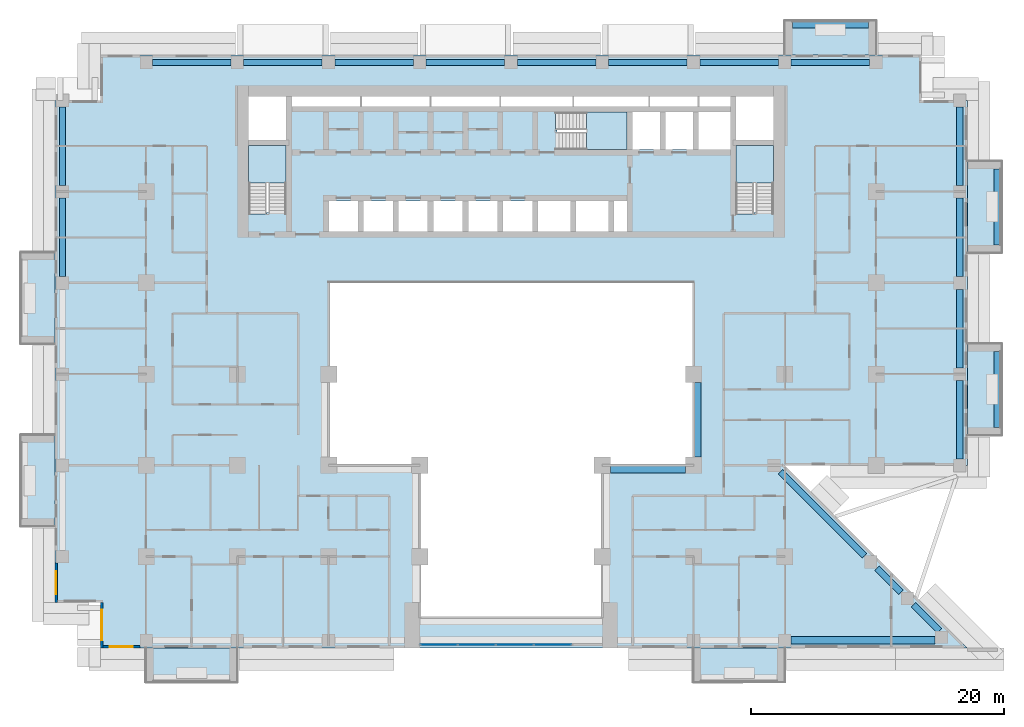
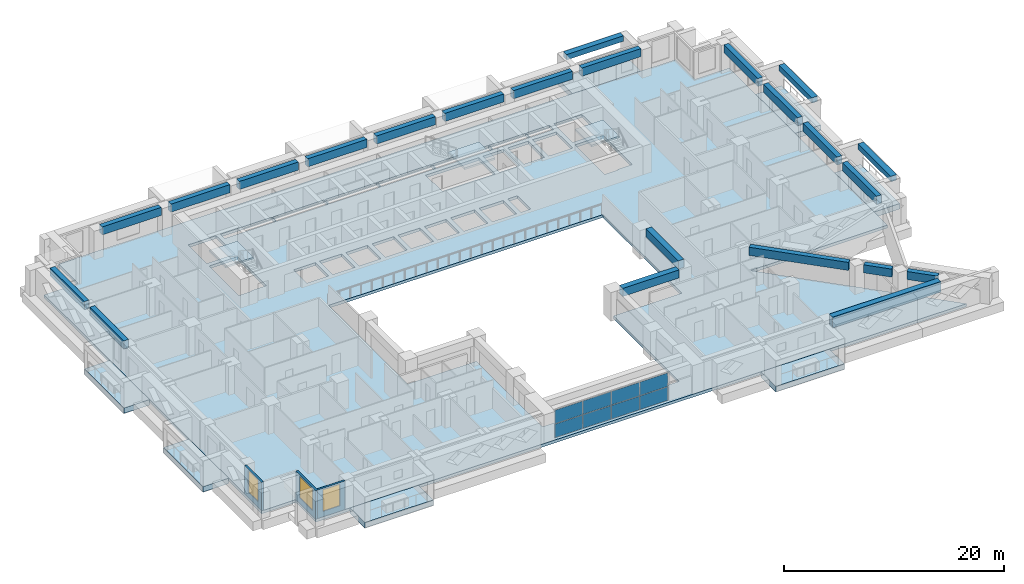
# One storey, part 5 of 17: 23 beams, 11 slabs, 8 plates, 3 walls, 3 windows, 3 openings, 4 elements without a shape of their own.
"""IFC4 building model written with IfcOpenShell, lengths in metres."""

from ifc_helpers import new_model, si_unit, direction, frame, frame_2d, origin, origin_2d, place, context, subcontext, project, spatial, polyline, rectangle, outline, extrude, source, transform, mapped, material, layer, layer_set, material_profile, profile_set, type_object, element, fill, aggregate, save


model = new_model("IFC4")

# Units and contexts
model_context = context("Model", 3, precision=1e-05, world=origin(), true_north=direction((0.0, 1.0)))
body_context = subcontext(model_context, "Body", "Model", "MODEL_VIEW")
ifc_project = project(units=[si_unit("LENGTHUNIT", "METRE"), si_unit("AREAUNIT", "SQUARE_METRE"), si_unit("VOLUMEUNIT", "CUBIC_METRE"), si_unit("PLANEANGLEUNIT", "RADIAN"), si_unit("MASSUNIT", "GRAM", prefix="KILO")], contexts=[model_context])

# Site, building, storey
site_placement = place(None, origin())
site = spatial("IfcSite", under=ifc_project, at=site_placement, CompositionType="ELEMENT")
building_placement = place(site_placement, origin())
building = spatial("IfcBuilding", under=site, at=building_placement, Name="Saffron Iwan Residences", CompositionType="ELEMENT")
storey_placement = place(building_placement, frame((0.0, 0.0, 72.5)))
storey = spatial("IfcBuildingStorey", under=building, at=storey_placement, Name="L18", CompositionType="ELEMENT", Elevation=72.5)

# Beams
ifc_material_1 = material(Name="Concrete C60/75", Category="concrete")
ifc_material_profile_1 = material_profile(ifc_material_1, rectangle(XDim=0.5, YDim=0.89990234375, at=origin_2d()), Name="RC 500x900")
ifc_profile_set_1 = profile_set([ifc_material_profile_1], Name="Concrete C60/75")
beam_type_1 = type_object("IfcBeamType", Name="SPANDREL BEAM RC 500x900 C60/75 TOP 3180", PredefinedType="SPANDREL", material=ifc_profile_set_1)
shared_shape_1 = source(origin(), body_context, "Body", "SweptSolid", [
    extrude(rectangle(XDim=0.5, YDim=0.89990234375, at=origin_2d()), origin(), (0.0, 0.0, 1.0), 6.199951171875),
])
for number, where, z_axis, x_axis, name in (
    (1, (85.800048828125, 54.699951171875, 2.72998046875), (0.0, -1.0, 0.0), (1.0, 0.0, 0.0), "Spandrel beam"),
    (2, (85.800048828125, 61.89990234375, 2.72998046875), (0.0, -1.0, 0.0), (1.0, 0.0, 0.0), "Spandrel beam"),
    (3, (15.0, 70.10009765625, 2.72998046875), (0.0, 1.0, 0.0), (-1.0, 0.0, 0.0), "Spandrel beam"),
    (4, (85.800048828125, 76.300048828125, 2.72998046875), (0.0, -1.0, 0.0), (1.0, 0.0, 0.0), "Spandrel beam"),
    (5, (22.10009765625, 79.800048828125, 2.72998046875), (1.0, 0.0, 0.0), (0.0, 1.0, 0.0), "Spandrel beam"),
    (6, (29.300048828125, 79.800048828125, 2.72998046875), (1.0, 0.0, 0.0), (0.0, 1.0, 0.0), "Spandrel beam"),
    (7, (36.5, 79.800048828125, 2.72998046875), (1.0, 0.0, 0.0), (0.0, 1.0, 0.0), "Spandrel beam"),
    (8, (43.699951171875, 79.800048828125, 2.72998046875), (1.0, 0.0, 0.0), (0.0, 1.0, 0.0), "Spandrel beam"),
    (9, (58.10009765625, 79.800048828125, 2.72998046875), (1.0, 0.0, 0.0), (0.0, 1.0, 0.0), "Spandrel beam"),
    (10, (65.300048828125, 79.800048828125, 2.72998046875), (1.0, 0.0, 0.0), (0.0, 1.0, 0.0), "Spandrel beam"),
    (11, (72.5, 79.800048828125, 2.72998046875), (1.0, 0.0, 0.0), (0.0, 1.0, 0.0), "Spandrel beam"),
):
    element("IfcBeam", number, at=place(storey_placement, frame(where, z_axis=z_axis, x_axis=x_axis)), inside=storey, type_object=beam_type_1, Name=name, PredefinedType="SPANDREL", context=body_context, shape_type="MappedRepresentation", body=[
        mapped(shared_shape_1, transform((0.0, 0.0, 0.0))),
    ])
shared_shape_2 = source(origin(), body_context, "Body", "SweptSolid", [
    extrude(rectangle(XDim=0.5, YDim=0.89990234375, at=origin_2d()), origin(), (0.0, 0.0, 1.0), 2.90478515625),
])
beam_1_placement = place(storey_placement, frame((82.15576171875, 36.995849609375, 2.72998046875), z_axis=(0.707106781187, -0.707106781187, 0.0), x_axis=(0.707106781187, 0.707106781187, 0.0)))
element("IfcBeam", 12, at=beam_1_placement, inside=storey, type_object=beam_type_1, Name="Spandrel beam", PredefinedType="SPANDREL", context=body_context, shape_type="MappedRepresentation", body=[
    mapped(shared_shape_2, transform((0.0, 0.0, 0.0))),
])
shared_shape_3 = source(origin(), body_context, "Body", "SweptSolid", [
    extrude(rectangle(XDim=0.5, YDim=0.89990234375, at=origin_2d()), origin(), (0.0, 0.0, 1.0), 2.658935546875),
])
beam_2_placement = place(storey_placement, frame((79.275634765625, 39.875732421875, 2.72998046875), z_axis=(0.707106781187, -0.707106781187, 0.0), x_axis=(0.707106781187, 0.707106781187, 0.0)))
element("IfcBeam", 13, at=beam_2_placement, inside=storey, type_object=beam_type_1, Name="Spandrel beam", PredefinedType="SPANDREL", context=body_context, shape_type="MappedRepresentation", body=[
    mapped(shared_shape_3, transform((0.0, 0.0, 0.0))),
])
shared_shape_4 = source(origin(), body_context, "Body", "SweptSolid", [
    extrude(rectangle(XDim=0.5, YDim=0.89990234375, at=origin_2d()), origin(), (0.0, 0.0, 1.0), 9.370361328125),
])
beam_3_placement = place(storey_placement, frame((71.64990234375, 47.50146484375, 2.72998046875), z_axis=(0.707119808329, -0.707093753804, 0.0), x_axis=(0.707093753804, 0.707119808329, 0.0)))
element("IfcBeam", 14, at=beam_3_placement, inside=storey, type_object=beam_type_1, Name="Spandrel beam", PredefinedType="SPANDREL", context=body_context, shape_type="MappedRepresentation", body=[
    mapped(shared_shape_4, transform((0.0, 0.0, 0.0))),
])
shared_shape_5 = source(origin(), body_context, "Body", "SweptSolid", [
    extrude(rectangle(XDim=0.5, YDim=0.89990234375, at=origin_2d()), origin(), (0.0, 0.0, 1.0), 6.2001953125),
])
for number, where, z_axis, x_axis, name in (
    (15, (15.0, 62.89990234375, 2.72998046875), (0.0, 1.0, 0.0), (-1.0, 0.0, 0.0), "Spandrel beam"),
    (16, (85.800048828125, 69.10009765625, 2.72998046875), (0.0, -1.0, 0.0), (1.0, 0.0, 0.0), "Spandrel beam"),
    (17, (50.89990234375, 79.800048828125, 2.72998046875), (1.0, 0.0, 0.0), (0.0, 1.0, 0.0), "Spandrel beam"),
):
    element("IfcBeam", number, at=place(storey_placement, frame(where, z_axis=z_axis, x_axis=x_axis)), inside=storey, type_object=beam_type_1, Name=name, PredefinedType="SPANDREL", context=body_context, shape_type="MappedRepresentation", body=[
        mapped(shared_shape_5, transform((0.0, 0.0, 0.0))),
    ])
ifc_material_profile_2 = material_profile(ifc_material_1, rectangle(XDim=0.60009765625, YDim=1.199951171875, at=origin_2d()), Name="RC 600x1200")
ifc_profile_set_2 = profile_set([ifc_material_profile_2], Name="Concrete C60/75")
beam_type_2 = type_object("IfcBeamType", Name="LINTEL BEAM RC 600x1200 C60/75 TOP 3180", PredefinedType="LINTEL", material=ifc_profile_set_2)
shared_shape_6 = source(origin(), body_context, "Body", "SweptSolid", [
    extrude(rectangle(XDim=0.60009765625, YDim=1.199951171875, at=origin_2d()), origin(), (0.0, 0.0, 1.0), 11.367431640625),
])
beam_4_placement = place(storey_placement, frame((83.867431640625, 34.199951171875, 2.580078125), z_axis=(-1.0, 0.0, 0.0), x_axis=(0.0, -1.0, 0.0)))
element("IfcBeam", 18, at=beam_4_placement, inside=storey, type_object=beam_type_2, Name="Lintel beam over the iwan", PredefinedType="LINTEL", context=body_context, shape_type="MappedRepresentation", body=[
    mapped(shared_shape_6, transform((0.0, 0.0, 0.0))),
])
ifc_material_profile_3 = material_profile(ifc_material_1, rectangle(XDim=0.60009765625, YDim=0.89990234375, at=origin_2d()), Name="RC 600x900")
ifc_profile_set_3 = profile_set([ifc_material_profile_3], Name="Concrete C60/75")
beam_type_3 = type_object("IfcBeamType", Name="BEAM RC 600x900 C60/75 TOP 3180", PredefinedType="BEAM", material=ifc_profile_set_3)
shared_shape_7 = source(origin(), body_context, "Body", "SweptSolid", [
    extrude(rectangle(XDim=0.60009765625, YDim=0.89990234375, at=origin_2d()), origin(), (0.0, 0.0, 1.0), 5.900146484375),
])
beam_5_placement = place(storey_placement, frame((65.10009765625, 54.550048828125, 2.72998046875), z_axis=(0.0, -1.0, 0.0), x_axis=(1.0, 0.0, 0.0)))
element("IfcBeam", 19, at=beam_5_placement, inside=storey, type_object=beam_type_3, Name="Atrium edge beam", PredefinedType="BEAM", context=body_context, shape_type="MappedRepresentation", body=[
    mapped(shared_shape_7, transform((0.0, 0.0, 0.0))),
])
shared_shape_8 = source(origin(), body_context, "Body", "SweptSolid", [
    extrude(rectangle(XDim=0.60009765625, YDim=0.89990234375, at=origin_2d()), origin(), (0.0, 0.0, 1.0), 5.89990234375),
])
beam_6_placement = place(storey_placement, frame((64.14990234375, 47.699951171875, 2.72998046875), z_axis=(-1.0, 0.0, 0.0), x_axis=(0.0, -1.0, 0.0)))
element("IfcBeam", 20, at=beam_6_placement, inside=storey, type_object=beam_type_3, Name="Atrium edge beam", PredefinedType="BEAM", context=body_context, shape_type="MappedRepresentation", body=[
    mapped(shared_shape_8, transform((0.0, 0.0, 0.0))),
])
ifc_material_2 = material(Name="Concrete C50/60 white painted", Category="concrete")
ifc_material_profile_4 = material_profile(ifc_material_2, rectangle(XDim=0.60009765625, YDim=0.60009765625, at=origin_2d()), Name="BALCONY FASCIA BEAM 600 x 600")
ifc_profile_set_4 = profile_set([ifc_material_profile_4], Name="Concrete C50/60 white painted")
beam_type_4 = type_object("IfcBeamType", Name="BALCONY FASCIA BEAM 600 x 600", PredefinedType="BEAM", material=ifc_profile_set_4)
shared_shape_9 = source(origin(), body_context, "Body", "SweptSolid", [
    extrude(rectangle(XDim=0.60009765625, YDim=0.60009765625, at=origin_2d()), origin(), (0.0, 0.0, 1.0), 6.0),
])
for number, where, z_axis, x_axis, name in (
    (21, (88.800048828125, 51.0, 2.550048828125), (0.0, 1.0, 0.0), (-1.0, 0.0, 0.0), "Balcony fascia beam L18 F2-0"),
    (22, (88.800048828125, 65.39990234375, 2.550048828125), (0.0, 1.0, 0.0), (-1.0, 0.0, 0.0), "Balcony fascia beam L18 F2-1"),
    (23, (78.60009765625, 82.800048828125, 2.550048828125), (-1.0, 0.0, 0.0), (0.0, -1.0, 0.0), "Balcony fascia beam L18 F5-0"),
):
    element("IfcBeam", number, at=place(storey_placement, frame(where, z_axis=z_axis, x_axis=x_axis)), inside=storey, type_object=beam_type_4, Name=name, PredefinedType="BEAM", context=body_context, shape_type="MappedRepresentation", body=[
        mapped(shared_shape_9, transform((0.0, 0.0, 0.0))),
    ])

# Slabs
ifc_layer_1 = layer(ifc_material_2, 0.60009765625)
ifc_layer_set_1 = layer_set([ifc_layer_1], Name="Concrete C50/60 white painted")
slab_type_1 = type_object("IfcSlabType", Name="BALCONY FRAME SLAB 600", PredefinedType="FLOOR", material=ifc_layer_set_1)
slab_1_placement = place(storey_placement, frame((0.0, 0.0, -0.60009765625)))
element("IfcSlab", 24, at=slab_1_placement, inside=storey, type_object=slab_type_1, Name="Balcony frame slab L18 F2-0", PredefinedType="FLOOR", context=body_context, shape_type="SweptSolid", body=[
    extrude(outline(polyline([(89.10009765625, 50.39990234375), (89.10009765625, 57.60009765625), (86.39990234375, 57.60009765625), (86.39990234375, 50.39990234375), (89.10009765625, 50.39990234375)])), origin(), (0.0, 0.0, 1.0), 0.60009765625),
])
slab_2_placement = place(storey_placement, frame((0.0, 0.0, -0.60009765625)))
element("IfcSlab", 25, at=slab_2_placement, inside=storey, type_object=slab_type_1, Name="Balcony frame slab L18 F2-1", PredefinedType="FLOOR", context=body_context, shape_type="SweptSolid", body=[
    extrude(outline(polyline([(89.10009765625, 64.800048828125), (89.10009765625, 72.0), (86.39990234375, 72.0), (86.39990234375, 64.800048828125), (89.10009765625, 64.800048828125)])), origin(), (0.0, 0.0, 1.0), 0.60009765625),
])
slab_3_placement = place(storey_placement, frame((0.0, 0.0, -0.60009765625)))
element("IfcSlab", 26, at=slab_3_placement, inside=storey, type_object=slab_type_1, Name="Balcony frame slab L18 F5-0", PredefinedType="FLOOR", context=body_context, shape_type="SweptSolid", body=[
    extrude(outline(polyline([(79.199951171875, 83.10009765625), (72.0, 83.10009765625), (72.0, 80.39990234375), (79.199951171875, 80.39990234375), (79.199951171875, 83.10009765625)])), origin(), (0.0, 0.0, 1.0), 0.60009765625),
])
slab_4_placement = place(storey_placement, frame((0.0, 0.0, -0.60009765625)))
element("IfcSlab", 27, at=slab_4_placement, inside=storey, type_object=slab_type_1, Name="Balcony frame slab L18 F8-0", PredefinedType="FLOOR", context=body_context, shape_type="SweptSolid", body=[
    extrude(outline(polyline([(11.699951171875, 64.800048828125), (11.699951171875, 57.60009765625), (14.39990234375, 57.60009765625), (14.39990234375, 64.800048828125), (11.699951171875, 64.800048828125)])), origin(), (0.0, 0.0, 1.0), 0.60009765625),
])
slab_5_placement = place(storey_placement, frame((0.0, 0.0, -0.60009765625)))
element("IfcSlab", 28, at=slab_5_placement, inside=storey, type_object=slab_type_1, Name="Balcony frame slab L18 F8-1", PredefinedType="FLOOR", context=body_context, shape_type="SweptSolid", body=[
    extrude(outline(polyline([(11.699951171875, 50.39990234375), (11.699951171875, 43.199951171875), (14.39990234375, 43.199951171875), (14.39990234375, 50.39990234375), (11.699951171875, 50.39990234375)])), origin(), (0.0, 0.0, 1.0), 0.60009765625),
])
slab_6_placement = place(storey_placement, frame((0.0, 0.0, -0.60009765625)))
element("IfcSlab", 29, at=slab_6_placement, inside=storey, type_object=slab_type_1, Name="Balcony frame slab L18 11-0", PredefinedType="FLOOR", context=body_context, shape_type="SweptSolid", body=[
    extrude(outline(polyline([(21.60009765625, 30.89990234375), (28.800048828125, 30.89990234375), (28.800048828125, 33.60009765625), (21.60009765625, 33.60009765625), (21.60009765625, 30.89990234375)])), origin(), (0.0, 0.0, 1.0), 0.60009765625),
])
slab_7_placement = place(storey_placement, frame((0.0, 0.0, -0.60009765625)))
element("IfcSlab", 30, at=slab_7_placement, inside=storey, type_object=slab_type_1, Name="Balcony frame slab L18 11-1", PredefinedType="FLOOR", context=body_context, shape_type="SweptSolid", body=[
    extrude(outline(polyline([(64.800048828125, 30.89990234375), (72.0, 30.89990234375), (72.0, 33.60009765625), (64.800048828125, 33.60009765625), (64.800048828125, 30.89990234375)])), origin(), (0.0, 0.0, 1.0), 0.60009765625),
])
ifc_material_3 = material(Name="Concrete C40/50", Category="concrete")
ifc_layer_2 = layer(ifc_material_3, 0.320068359375)
ifc_layer_set_2 = layer_set([ifc_layer_2], Name="Concrete C40/50")
slab_type_2 = type_object("IfcSlabType", Name="PT PLATE 320 C40/50", PredefinedType="FLOOR", material=ifc_layer_set_2)
slab_8_placement = place(storey_placement, frame((0.0, 0.0, -0.320068359375)))
element("IfcSlab", 31, at=slab_8_placement, inside=storey, type_object=slab_type_2, Name="Floor slab L18", PredefinedType="FLOOR", context=body_context, shape_type="SweptSolid", body=[
    extrude(outline(polyline([(14.39990234375, 37.199951171875), (14.39990234375, 76.800048828125), (18.0, 76.800048828125), (18.0, 80.39990234375), (82.800048828125, 80.39990234375), (82.800048828125, 76.800048828125), (86.39990234375, 76.800048828125), (86.39990234375, 48.0), (72.0, 48.0), (86.39990234375, 33.60009765625), (18.0, 33.60009765625), (18.0, 37.199951171875), (14.39990234375, 37.199951171875)]), holes=[polyline([(64.800048828125, 48.0), (64.800048828125, 62.39990234375), (36.0, 62.39990234375), (36.0, 48.0), (43.199951171875, 48.0), (43.199951171875, 36.0), (57.60009765625, 36.0), (57.60009765625, 48.0), (64.800048828125, 48.0)]), polyline([(38.324951171875, 68.875), (36.02490234375, 68.875), (36.02490234375, 66.449951171875), (38.324951171875, 66.449951171875), (38.324951171875, 68.875)]), polyline([(41.074951171875, 66.449951171875), (41.074951171875, 68.875), (38.77490234375, 68.875), (38.77490234375, 66.449951171875), (41.074951171875, 66.449951171875)]), polyline([(43.824951171875, 66.449951171875), (43.824951171875, 68.875), (41.52490234375, 68.875), (41.52490234375, 66.449951171875), (43.824951171875, 66.449951171875)]), polyline([(46.574951171875, 68.875), (44.27490234375, 68.875), (44.27490234375, 66.449951171875), (46.574951171875, 66.449951171875), (46.574951171875, 68.875)]), polyline([(49.324951171875, 66.449951171875), (49.324951171875, 68.875), (47.02490234375, 68.875), (47.02490234375, 66.449951171875), (49.324951171875, 66.449951171875)]), polyline([(52.074951171875, 66.449951171875), (52.074951171875, 68.875), (49.77490234375, 68.875), (49.77490234375, 66.449951171875), (52.074951171875, 66.449951171875)]), polyline([(29.699951171875, 73.25), (29.699951171875, 67.949951171875), (29.699951171875, 67.8505859375), (31.10009765625, 67.8505859375), (31.10009765625, 67.949951171875), (32.64990234375, 67.949951171875), (32.64990234375, 73.25), (29.699951171875, 73.25)]), polyline([(32.64990234375, 73.699951171875), (32.64990234375, 77.10009765625), (29.699951171875, 77.10009765625), (29.699951171875, 73.699951171875), (32.64990234375, 73.699951171875)]), polyline([(38.5, 76.324951171875), (38.5, 77.10009765625), (33.10009765625, 77.10009765625), (33.10009765625, 76.324951171875), (38.5, 76.324951171875)]), polyline([(44.0, 77.10009765625), (38.60009765625, 77.10009765625), (38.60009765625, 76.324951171875), (44.0, 76.324951171875), (44.0, 77.10009765625)]), polyline([(49.5, 76.324951171875), (49.5, 77.10009765625), (44.10009765625, 77.10009765625), (44.10009765625, 76.324951171875), (49.5, 76.324951171875)]), polyline([(55.25, 76.324951171875), (55.25, 77.10009765625), (49.60009765625, 77.10009765625), (49.60009765625, 76.324951171875), (55.25, 76.324951171875)]), polyline([(55.074951171875, 68.875), (52.52490234375, 68.875), (52.52490234375, 66.449951171875), (55.074951171875, 66.449951171875), (55.074951171875, 68.875)]), polyline([(58.074951171875, 66.449951171875), (58.074951171875, 68.875), (55.52490234375, 68.875), (55.52490234375, 66.449951171875), (58.074951171875, 66.449951171875)]), polyline([(59.550048828125, 66.449951171875), (59.550048828125, 68.875), (58.52490234375, 68.875), (58.52490234375, 66.449951171875), (59.550048828125, 66.449951171875)]), polyline([(68.14990234375, 73.25), (68.14990234375, 67.949951171875), (68.14990234375, 67.8505859375), (69.550048828125, 67.8505859375), (69.550048828125, 67.949951171875), (71.10009765625, 67.949951171875), (71.10009765625, 73.25), (68.14990234375, 73.25)]), polyline([(53.925537109375, 74.47509765625), (54.02490234375, 74.47509765625), (54.02490234375, 72.925048828125), (59.550048828125, 72.925048828125), (59.550048828125, 75.875), (54.02490234375, 75.875), (53.925537109375, 75.875), (53.925537109375, 74.47509765625)]), polyline([(62.14990234375, 72.925048828125), (62.14990234375, 75.875), (60.0, 75.875), (60.0, 72.925048828125), (62.14990234375, 72.925048828125)]), polyline([(64.75, 75.875), (62.60009765625, 75.875), (62.60009765625, 72.925048828125), (64.75, 72.925048828125), (64.75, 75.875)]), polyline([(67.699951171875, 72.925048828125), (67.699951171875, 75.875), (65.199951171875, 75.875), (65.199951171875, 72.925048828125), (67.699951171875, 72.925048828125)]), polyline([(71.10009765625, 73.699951171875), (71.10009765625, 77.10009765625), (68.14990234375, 77.10009765625), (68.14990234375, 73.699951171875), (71.10009765625, 73.699951171875)]), polyline([(61.25, 77.10009765625), (55.35009765625, 77.10009765625), (55.35009765625, 76.324951171875), (61.25, 76.324951171875), (61.25, 77.10009765625)]), polyline([(65.14990234375, 76.324951171875), (65.14990234375, 77.10009765625), (61.35009765625, 77.10009765625), (61.35009765625, 76.324951171875), (65.14990234375, 76.324951171875)]), polyline([(67.699951171875, 76.324951171875), (67.699951171875, 77.10009765625), (65.25, 77.10009765625), (65.25, 76.324951171875), (67.699951171875, 76.324951171875)])]), origin(), (0.0, 0.0, 1.0), 0.320068359375),
])

# Stair, slab
ifc_material_4 = material(Name="Concrete C50/60", Category="concrete")
stair_type = type_object("IfcStairType", Name="Stair ST-CORE", PredefinedType="HALF_TURN_STAIR", material=ifc_material_4)
stair_1_placement = place(storey_placement, origin())
stair_1 = element("IfcStair", 32, at=stair_1_placement, inside=storey, type_object=stair_type, Name="L18 Exit Stair ST-W", PredefinedType="HALF_TURN_STAIR")
ifc_layer_3 = layer(ifc_material_4, 0.199951171875)
ifc_layer_set_3 = layer_set([ifc_layer_3], Name="Concrete C50/60")
slab_type_3 = type_object("IfcSlabType", Name="Stair landing SL-RC", PredefinedType="LANDING", material=ifc_layer_set_3)
slab_9_placement = place(storey_placement, frame((0.0, 0.0, 1.5498046875)))
slab_9 = element("IfcSlab", 33, at=slab_9_placement, type_object=slab_type_3, Name="ST-W landing 1", PredefinedType="LANDING", context=body_context, shape_type="SweptSolid", body=[
    extrude(outline(polyline([(32.64990234375, 70.280029296875), (32.64990234375, 73.25), (29.699951171875, 73.25), (29.699951171875, 70.280029296875), (32.64990234375, 70.280029296875)])), origin(), (0.0, 0.0, 1.0), 0.2001953125),
])
aggregate(stair_1, [slab_9])

stair_2_placement = place(storey_placement, origin())
stair_2 = element("IfcStair", 34, at=stair_2_placement, inside=storey, type_object=stair_type, Name="L18 Exit Stair ST-C", PredefinedType="HALF_TURN_STAIR")
slab_10_placement = place(storey_placement, frame((0.0, 0.0, 1.5498046875)))
slab_10 = element("IfcSlab", 35, at=slab_10_placement, type_object=slab_type_3, Name="ST-C landing 1", PredefinedType="LANDING", context=body_context, shape_type="SweptSolid", body=[
    extrude(outline(polyline([(56.35498046875, 72.925048828125), (59.550048828125, 72.925048828125), (59.550048828125, 75.875), (56.35498046875, 75.875), (56.35498046875, 72.925048828125)])), origin(), (0.0, 0.0, 1.0), 0.2001953125),
])
aggregate(stair_2, [slab_10])

stair_3_placement = place(storey_placement, origin())
stair_3 = element("IfcStair", 36, at=stair_3_placement, inside=storey, type_object=stair_type, Name="L18 Exit Stair ST-E", PredefinedType="HALF_TURN_STAIR")
slab_11_placement = place(storey_placement, frame((0.0, 0.0, 1.5498046875)))
slab_11 = element("IfcSlab", 37, at=slab_11_placement, type_object=slab_type_3, Name="ST-E landing 1", PredefinedType="LANDING", context=body_context, shape_type="SweptSolid", body=[
    extrude(outline(polyline([(71.10009765625, 70.280029296875), (71.10009765625, 73.25), (68.14990234375, 73.25), (68.14990234375, 70.280029296875), (71.10009765625, 70.280029296875)])), origin(), (0.0, 0.0, 1.0), 0.2001953125),
])
aggregate(stair_3, [slab_11])

# Curtain wall, plates
ifc_material_5 = material(Name="Clear glass, laminated double glazed", Category="glass")
ifc_layer_4 = layer(ifc_material_5, 0.199951171875)
ifc_layer_set_4 = layer_set([ifc_layer_4], Name="Clear glass, laminated double glazed")
curtain_wall_type = type_object("IfcCurtainWallType", Name="CW-B IWAN PORTAL", PredefinedType="NOTDEFINED", material=ifc_layer_set_4)
curtain_wall_placement = place(storey_placement, origin())
curtain_wall = element("IfcCurtainWall", 38, at=curtain_wall_placement, inside=storey, type_object=curtain_wall_type, Name="Iwan portal glazing L18.1", PredefinedType="NOTDEFINED")
ifc_layer_5 = layer(ifc_material_5, 0.028076171875)
ifc_layer_set_5 = layer_set([ifc_layer_5], Name="Clear glass, laminated double glazed")
plate_type = type_object("IfcPlateType", Name="CW-B PANEL 28", PredefinedType="CURTAIN_PANEL", material=ifc_layer_set_5)
shared_shape_10 = source(origin(), body_context, "Body", "SweptSolid", [
    extrude(rectangle(XDim=2.909912109375, YDim=0.028076171875, at=origin_2d()), origin(), (0.0, 0.0, 1.0), 1.5),
])
plate_1_placement = place(storey_placement, frame((44.715087890625, 33.85009765625, 0.06005859375), z_axis=(0.0, 0.0, 1.0), x_axis=(1.0, 0.0, 0.0)))
plate_1 = element("IfcPlate", 39, at=plate_1_placement, type_object=plate_type, Name="CW-B panel 1.1", PredefinedType="CURTAIN_PANEL", context=body_context, shape_type="MappedRepresentation", body=[
    mapped(shared_shape_10, transform((0.0, 0.0, 0.0))),
])
plate_2_placement = place(storey_placement, frame((44.715087890625, 33.85009765625, 1.6201171875), z_axis=(0.0, 0.0, 1.0), x_axis=(1.0, 0.0, 0.0)))
plate_2 = element("IfcPlate", 40, at=plate_2_placement, type_object=plate_type, Name="CW-B panel 1.2", PredefinedType="CURTAIN_PANEL", context=body_context, shape_type="MappedRepresentation", body=[
    mapped(shared_shape_10, transform((0.0, 0.0, 0.0))),
])
plate_3_placement = place(storey_placement, frame((53.68505859375, 33.85009765625, 0.06005859375), z_axis=(0.0, 0.0, 1.0), x_axis=(1.0, 0.0, 0.0)))
plate_3 = element("IfcPlate", 41, at=plate_3_placement, type_object=plate_type, Name="CW-B panel 4.1", PredefinedType="CURTAIN_PANEL", context=body_context, shape_type="MappedRepresentation", body=[
    mapped(shared_shape_10, transform((0.0, 0.0, 0.0))),
])
plate_4_placement = place(storey_placement, frame((53.68505859375, 33.85009765625, 1.6201171875), z_axis=(0.0, 0.0, 1.0), x_axis=(1.0, 0.0, 0.0)))
plate_4 = element("IfcPlate", 42, at=plate_4_placement, type_object=plate_type, Name="CW-B panel 4.2", PredefinedType="CURTAIN_PANEL", context=body_context, shape_type="MappedRepresentation", body=[
    mapped(shared_shape_10, transform((0.0, 0.0, 0.0))),
])
shared_shape_11 = source(origin(), body_context, "Body", "SweptSolid", [
    extrude(rectangle(XDim=2.93994140625, YDim=0.028076171875, at=origin_2d()), origin(), (0.0, 0.0, 1.0), 1.5),
])
plate_5_placement = place(storey_placement, frame((47.699951171875, 33.85009765625, 0.06005859375), z_axis=(0.0, 0.0, 1.0), x_axis=(1.0, 0.0, 0.0)))
plate_5 = element("IfcPlate", 43, at=plate_5_placement, type_object=plate_type, Name="CW-B panel 2.1", PredefinedType="CURTAIN_PANEL", context=body_context, shape_type="MappedRepresentation", body=[
    mapped(shared_shape_11, transform((0.0, 0.0, 0.0))),
])
plate_6_placement = place(storey_placement, frame((47.699951171875, 33.85009765625, 1.6201171875), z_axis=(0.0, 0.0, 1.0), x_axis=(1.0, 0.0, 0.0)))
plate_6 = element("IfcPlate", 44, at=plate_6_placement, type_object=plate_type, Name="CW-B panel 2.2", PredefinedType="CURTAIN_PANEL", context=body_context, shape_type="MappedRepresentation", body=[
    mapped(shared_shape_11, transform((0.0, 0.0, 0.0))),
])
plate_7_placement = place(storey_placement, frame((50.699951171875, 33.85009765625, 0.06005859375), z_axis=(0.0, 0.0, 1.0), x_axis=(1.0, 0.0, 0.0)))
plate_7 = element("IfcPlate", 45, at=plate_7_placement, type_object=plate_type, Name="CW-B panel 3.1", PredefinedType="CURTAIN_PANEL", context=body_context, shape_type="MappedRepresentation", body=[
    mapped(shared_shape_11, transform((0.0, 0.0, 0.0))),
])
plate_8_placement = place(storey_placement, frame((50.699951171875, 33.85009765625, 1.6201171875), z_axis=(0.0, 0.0, 1.0), x_axis=(1.0, 0.0, 0.0)))
plate_8 = element("IfcPlate", 46, at=plate_8_placement, type_object=plate_type, Name="CW-B panel 3.2", PredefinedType="CURTAIN_PANEL", context=body_context, shape_type="MappedRepresentation", body=[
    mapped(shared_shape_11, transform((0.0, 0.0, 0.0))),
])
aggregate(curtain_wall, [plate_1, plate_2, plate_5, plate_6, plate_7, plate_8, plate_3, plate_4])

# Wall, opening, window
ifc_layer_6 = layer(ifc_material_3, 0.199951171875)
ifc_layer_set_6 = layer_set([ifc_layer_6], Name="Concrete C40/50")
wall_type = type_object("IfcWallType", Name="EXTERNAL WALL 200", PredefinedType="SOLIDWALL", material=ifc_layer_set_6)
wall_1_placement = place(storey_placement, frame((14.5, 40.300048828125, 0.0), z_axis=(0.0, 0.0, 1.0), x_axis=(0.0, -1.0, 0.0)))
wall_1 = element("IfcWall", 47, at=wall_1_placement, inside=storey, type_object=wall_type, Name="External wall L18 F8.5", PredefinedType="SOLIDWALL", context=body_context, shape_type="SweptSolid", body=[
    extrude(rectangle(XDim=3.10009765625, YDim=0.199951171875, at=frame_2d((1.550048828125, 0.0))), origin(), (0.0, 0.0, 1.0), 3.179931640625),
])
opening_1_placement = place(wall_1_placement, frame((0.64990234375, 0.0, 0.60009765625)))
opening_1 = element("IfcOpeningElement", 48, at=opening_1_placement, cuts=wall_1, Name="Opening W8", PredefinedType="OPENING", context=body_context, shape_type="SweptSolid", body=[
    extrude(rectangle(XDim=1.800048828125, YDim=2.39990234375, at=frame_2d((0.89990234375, 1.199951171875))), frame((0.0, 0.10986328125, 0.0), z_axis=(0.0, -1.0, 0.0), x_axis=(1.0, 0.0, 0.0)), (0.0, 0.0, 1.0), 0.219970703125),
])
window_type_1 = type_object("IfcWindowType", Name="WINDOW 1800 x 2400", PartitioningType="DOUBLE_PANEL_VERTICAL", PredefinedType="WINDOW", material=ifc_material_5)
window_1_placement = place(opening_1_placement, origin())
window_1 = element("IfcWindow", 49, at=window_1_placement, inside=storey, type_object=window_type_1, Name="Window L18 F8.0", OverallHeight=2.39990234375, OverallWidth=1.800048828125, PartitioningType="DOUBLE_PANEL_VERTICAL", PredefinedType="WINDOW", context=body_context, shape_type="SweptSolid", body=[
    extrude(rectangle(XDim=1.800048828125, YDim=2.39990234375, at=frame_2d((0.89990234375, 1.199951171875))), frame((0.0, 0.030029296875, 0.0), z_axis=(0.0, -1.0, 0.0), x_axis=(1.0, 0.0, 0.0)), (0.0, 0.0, 1.0), 0.06005859375),
])
fill(opening_1, window_1)

wall_2_placement = place(storey_placement, frame((18.10009765625, 37.199951171875, 0.0), z_axis=(0.0, 0.0, 1.0), x_axis=(0.0, -1.0, 0.0)))
wall_2 = element("IfcWall", 50, at=wall_2_placement, inside=storey, type_object=wall_type, Name="External wall L18 F10.0", PredefinedType="SOLIDWALL", context=body_context, shape_type="SweptSolid", body=[
    extrude(rectangle(XDim=3.599853515625, YDim=0.199951171875, at=frame_2d((1.7998046875, 0.0))), origin(), (0.0, 0.0, 1.0), 3.179931640625),
])
opening_2_placement = place(wall_2_placement, frame((0.60009765625, 0.0, 0.60009765625)))
opening_2 = element("IfcOpeningElement", 51, at=opening_2_placement, cuts=wall_2, Name="Opening W1", PredefinedType="OPENING", context=body_context, shape_type="SweptSolid", body=[
    extrude(rectangle(XDim=2.39990234375, YDim=2.39990234375, at=frame_2d((1.199951171875, 1.199951171875))), frame((0.0, 0.10986328125, 0.0), z_axis=(0.0, -1.0, 0.0), x_axis=(1.0, 0.0, 0.0)), (0.0, 0.0, 1.0), 0.219970703125),
])
window_type_2 = type_object("IfcWindowType", Name="WINDOW 2400 x 2400", PartitioningType="DOUBLE_PANEL_VERTICAL", PredefinedType="WINDOW", material=ifc_material_5)
window_2_placement = place(opening_2_placement, origin())
window_2 = element("IfcWindow", 52, at=window_2_placement, inside=storey, type_object=window_type_2, Name="Window L18 F10.0", OverallHeight=2.39990234375, OverallWidth=2.39990234375, PartitioningType="DOUBLE_PANEL_VERTICAL", PredefinedType="WINDOW", context=body_context, shape_type="SweptSolid", body=[
    extrude(rectangle(XDim=2.39990234375, YDim=2.39990234375, at=frame_2d((1.199951171875, 1.199951171875))), frame((0.0, 0.030029296875, 0.0), z_axis=(0.0, -1.0, 0.0), x_axis=(1.0, 0.0, 0.0)), (0.0, 0.0, 1.0), 0.06005859375),
])
fill(opening_2, window_2)

wall_3_placement = place(storey_placement, frame((18.199951171875, 33.699951171875, 0.0), z_axis=(0.0, 0.0, 1.0), x_axis=(1.0, 0.0, 0.0)))
wall_3 = element("IfcWall", 53, at=wall_3_placement, inside=storey, type_object=wall_type, Name="External wall L18 F11.0", PredefinedType="SOLIDWALL", context=body_context, shape_type="SweptSolid", body=[
    extrude(rectangle(XDim=2.900146484375, YDim=0.199951171875, at=frame_2d((1.4501953125, 0.0))), origin(), (0.0, 0.0, 1.0), 3.179931640625),
])
opening_3_placement = place(wall_3_placement, frame((0.550048828125, 0.0, 0.60009765625)))
opening_3 = element("IfcOpeningElement", 54, at=opening_3_placement, cuts=wall_3, Name="Opening W8", PredefinedType="OPENING", context=body_context, shape_type="SweptSolid", body=[
    extrude(rectangle(XDim=1.800048828125, YDim=2.39990234375, at=frame_2d((0.89990234375, 1.199951171875))), frame((0.0, 0.10986328125, 0.0), z_axis=(0.0, -1.0, 0.0), x_axis=(1.0, 0.0, 0.0)), (0.0, 0.0, 1.0), 0.219970703125),
])
window_3_placement = place(opening_3_placement, origin())
window_3 = element("IfcWindow", 55, at=window_3_placement, inside=storey, type_object=window_type_1, Name="Window L18 F11.0", OverallHeight=2.39990234375, OverallWidth=1.800048828125, PartitioningType="DOUBLE_PANEL_VERTICAL", PredefinedType="WINDOW", context=body_context, shape_type="SweptSolid", body=[
    extrude(rectangle(XDim=1.800048828125, YDim=2.39990234375, at=frame_2d((0.89990234375, 1.199951171875))), frame((0.0, 0.030029296875, 0.0), z_axis=(0.0, -1.0, 0.0), x_axis=(1.0, 0.0, 0.0)), (0.0, 0.0, 1.0), 0.06005859375),
])
fill(opening_3, window_3)

save(model, "model.ifc")
